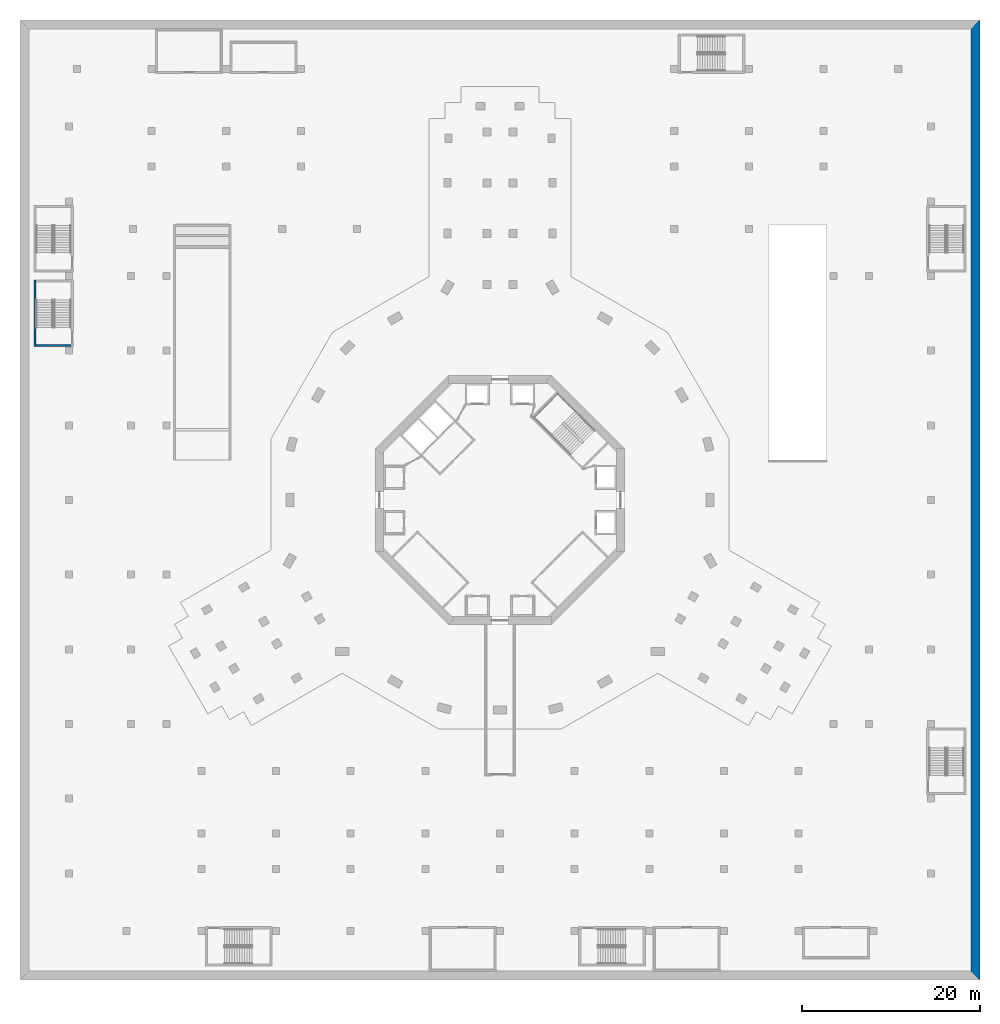
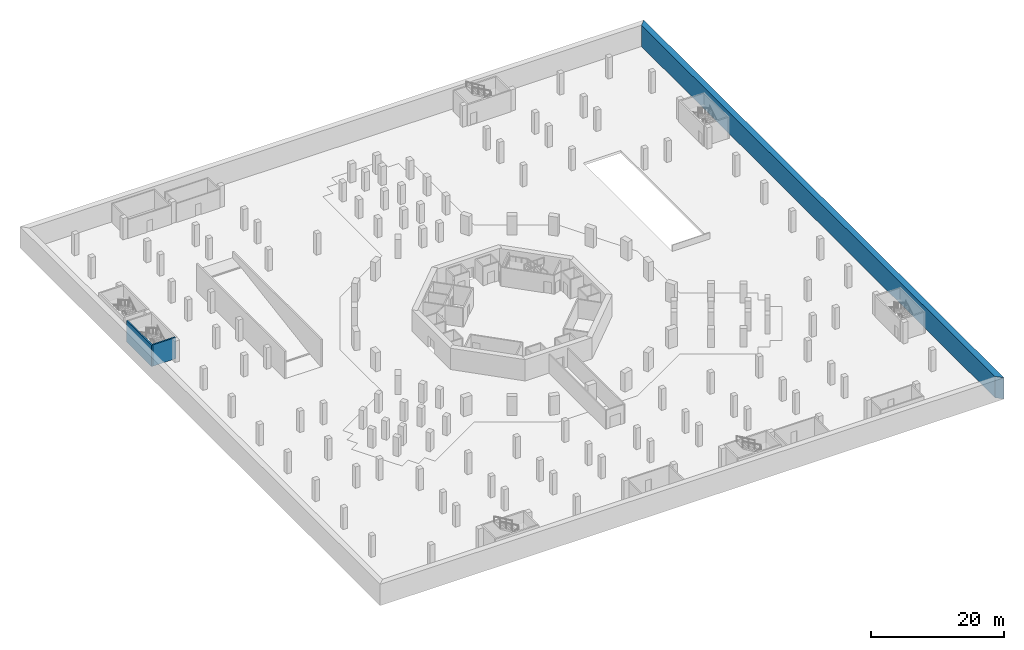
# One storey, part 9 of 25: 3 walls.
"""IFC4 building model written with IfcOpenShell, lengths in metres."""

from ifc_helpers import new_model, si_unit, direction, frame, frame_2d, origin, place, context, subcontext, project, spatial, polyline, rectangle, outline, extrude, material, layer, layer_set, type_object, element, save


model = new_model("IFC4")

# Units and contexts
model_context = context("Model", 3, precision=1e-05, world=origin(), true_north=direction((0.0, 1.0)))
body_context = subcontext(model_context, "Body", "Model", "MODEL_VIEW")
ifc_project = project(units=[si_unit("LENGTHUNIT", "METRE"), si_unit("AREAUNIT", "SQUARE_METRE"), si_unit("VOLUMEUNIT", "CUBIC_METRE"), si_unit("PLANEANGLEUNIT", "RADIAN"), si_unit("MASSUNIT", "GRAM", prefix="KILO")], contexts=[model_context])

# Site, building, storey
site_placement = place(None, origin())
site = spatial("IfcSite", under=ifc_project, at=site_placement, CompositionType="ELEMENT")
building_placement = place(site_placement, origin())
building = spatial("IfcBuilding", under=site, at=building_placement, Name="Verdalira Terraces Hotel", CompositionType="ELEMENT")
storey_placement = place(building_placement, frame((0.0, 0.0, -7.800049)))
storey = spatial("IfcBuildingStorey", under=building, at=storey_placement, Name="B2", CompositionType="ELEMENT", Elevation=-7.800048828125)

# Walls
ifc_material_1 = material(Name="Concrete C40", Category="concrete")
ifc_layer_1 = layer(ifc_material_1, 1.0)
ifc_layer_set_1 = layer_set([ifc_layer_1], Name="Retaining wall 1000 C40")
wall_type_1 = type_object("IfcWallType", Name="Retaining wall 1000 C40", PredefinedType="SOLIDWALL", material=ifc_layer_set_1)
wall_1_placement = place(storey_placement, origin())
element("IfcWall", 1, at=wall_1_placement, inside=storey, type_object=wall_type_1, Name="Retaining wall B2 side 4", PredefinedType="SOLIDWALL", context=body_context, shape_type="SweptSolid", body=[
    extrude(outline(polyline([(54.0, -54.0), (54.0, 54.0), (53.0, 53.0), (53.0, -53.0), (54.0, -54.0)])), origin(), (0.0, 0.0, 1.0), 3.900146),
])
ifc_material_2 = material(Name="Concrete C40", Category="concrete")
ifc_layer_2 = layer(ifc_material_2, 0.25)
ifc_layer_set_2 = layer_set([ifc_layer_2], Name="Stair enclosure wall 250 C40")
wall_type_2 = type_object("IfcWallType", Name="Stair enclosure wall 250 C40", PredefinedType="SOLIDWALL", material=ifc_layer_set_2)
wall_2_placement = place(storey_placement, frame((-52.324951, 17.25, 0.0), z_axis=(0.0, 0.0, 1.0), x_axis=(0.0, 1.0, 0.0)))
element("IfcWall", 2, at=wall_2_placement, inside=storey, type_object=wall_type_2, Name="Stair BS7 enclosure wall", PredefinedType="SOLIDWALL", context=body_context, shape_type="SweptSolid", body=[
    extrude(rectangle(XDim=7.5, YDim=0.25, at=frame_2d((3.75, 0.0))), origin(), (0.0, 0.0, 1.0), 3.900146),
])
wall_3_placement = place(storey_placement, frame((-48.25, 17.375, 0.0), z_axis=(0.0, 0.0, 1.0), x_axis=(-1.0, 0.0, 0.0)))
element("IfcWall", 3, at=wall_3_placement, inside=storey, type_object=wall_type_2, Name="Stair BS7 enclosure wall", PredefinedType="SOLIDWALL", context=body_context, shape_type="SweptSolid", body=[
    extrude(rectangle(XDim=3.949951, YDim=0.25, at=frame_2d((1.975098, 0.0))), origin(), (0.0, 0.0, 1.0), 3.900146),
])

save(model, "model.ifc")
